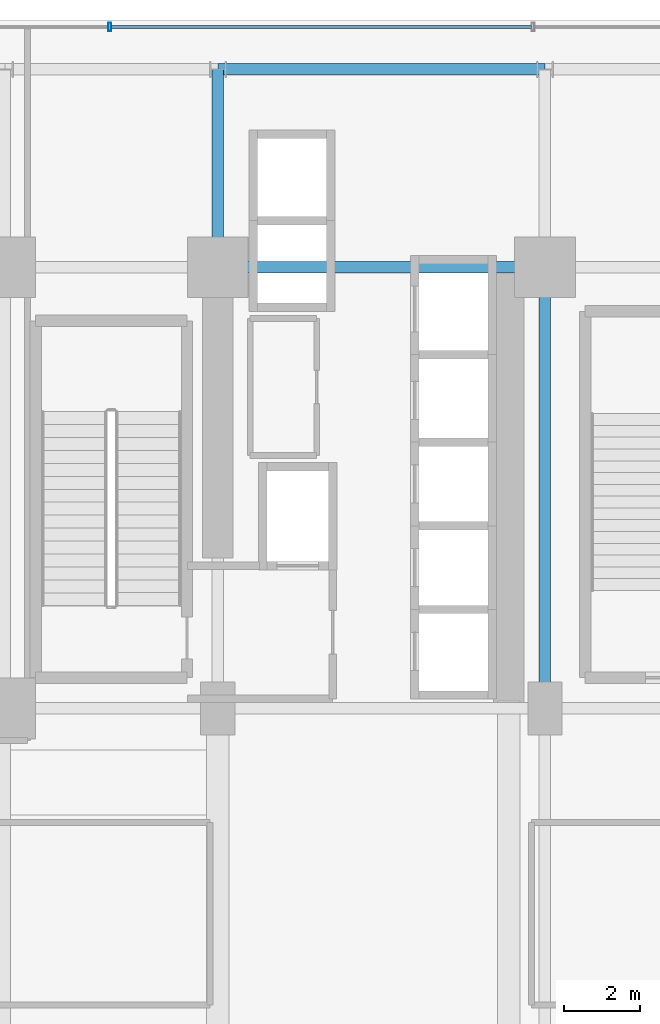
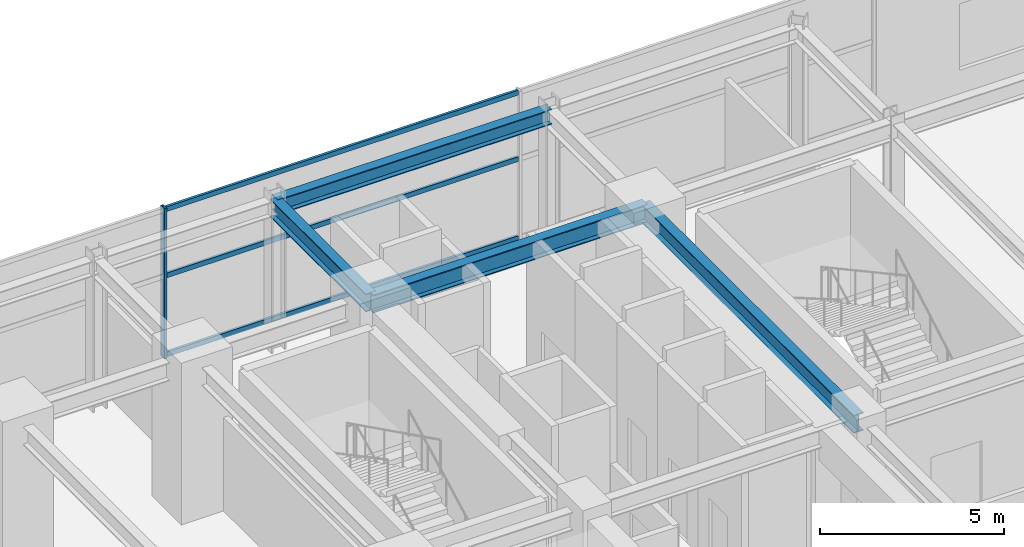
# One storey, part 20 of 35: 4 beams, 4 members, 1 element without a shape of its own.
"""IFC4 building model written with IfcOpenShell, lengths in metres."""

from ifc_helpers import new_model, si_unit, direction, frame, origin, origin_2d, place, context, subcontext, project, spatial, hollow_rectangle, i_section, extrude, source, transform, mapped, material, material_profile, profile_set, type_object, element, aggregate, save


model = new_model("IFC4")

# Units and contexts
model_context = context("Model", 3, precision=1e-05, world=origin(), true_north=direction((0.0, 1.0)))
body_context = subcontext(model_context, "Body", "Model", "MODEL_VIEW")
ifc_project = project(units=[si_unit("LENGTHUNIT", "METRE"), si_unit("AREAUNIT", "SQUARE_METRE"), si_unit("VOLUMEUNIT", "CUBIC_METRE"), si_unit("PLANEANGLEUNIT", "RADIAN"), si_unit("MASSUNIT", "GRAM", prefix="KILO")], contexts=[model_context])

# Site, building, storey
site_placement = place(None, origin())
site = spatial("IfcSite", under=ifc_project, at=site_placement, CompositionType="ELEMENT")
building_placement = place(site_placement, origin())
building = spatial("IfcBuilding", under=site, at=building_placement, Name="Nahalor Promenade Grand Hotel", CompositionType="ELEMENT")
storey_placement = place(building_placement, frame((0.0, 0.0, 21.60009765625)))
storey = spatial("IfcBuildingStorey", under=building, at=storey_placement, Name="L04", CompositionType="ELEMENT", Elevation=21.60009765625)

# Beams
ifc_material_1 = material(Name="Steel S355JR", Category="steel")
ifc_material_profile_1 = material_profile(ifc_material_1, i_section(OverallWidth=0.3, OverallDepth=0.6, WebThickness=0.0155, FlangeThickness=0.03, at=origin_2d()), Name="HEB 600")
ifc_profile_set_1 = profile_set([ifc_material_profile_1], Name="Steel S355JR")
beam_type_1 = type_object("IfcBeamType", Name="Beam-Girder-HEB600", PredefinedType="BEAM", material=ifc_profile_set_1)
shared_shape_1 = source(origin(), body_context, "Body", "SweptSolid", [
    extrude(i_section(OverallWidth=0.3, OverallDepth=0.6, WebThickness=0.0155, FlangeThickness=0.03, at=origin_2d()), origin(), (0.0, 0.0, 1.0), 8.60009765625),
])
beam_1_placement = place(storey_placement, frame((8.39990234375, 17.0, 4.679931640625), z_axis=(1.0, 0.0, 0.0), x_axis=(0.0, 1.0, 0.0)))
element("IfcBeam", 1, at=beam_1_placement, inside=storey, type_object=beam_type_1, Name="BM-L04-GX-3-6", PredefinedType="BEAM", context=body_context, shape_type="MappedRepresentation", body=[
    mapped(shared_shape_1, transform((0.0, 0.0, 0.0), scale=1.0)),
])
shared_shape_2 = source(origin(), body_context, "Body", "SweptSolid", [
    extrude(i_section(OverallWidth=0.3, OverallDepth=0.6, WebThickness=0.0155, FlangeThickness=0.03, at=origin_2d()), origin(), (0.0, 0.0, 1.0), 5.199951171875),
])
beam_2_placement = place(storey_placement, frame((8.39990234375, 17.0, 4.679931640625), z_axis=(0.0, 1.0, 0.0), x_axis=(-1.0, 0.0, 0.0)))
element("IfcBeam", 2, at=beam_2_placement, inside=storey, type_object=beam_type_1, Name="BM-L04-GY-4-4", PredefinedType="BEAM", context=body_context, shape_type="MappedRepresentation", body=[
    mapped(shared_shape_2, transform((0.0, 0.0, 0.0), scale=1.0)),
])
shared_shape_3 = source(origin(), body_context, "Body", "SweptSolid", [
    extrude(i_section(OverallWidth=0.3, OverallDepth=0.6, WebThickness=0.0155, FlangeThickness=0.03, at=origin_2d()), origin(), (0.0, 0.0, 1.0), 11.60009765625),
])
beam_3_placement = place(storey_placement, frame((17.0, 5.39990234375, 4.679931640625), z_axis=(0.0, 1.0, 0.0), x_axis=(-1.0, 0.0, 0.0)))
element("IfcBeam", 3, at=beam_3_placement, inside=storey, type_object=beam_type_1, Name="BM-L04-GY-5-3", PredefinedType="BEAM", context=body_context, shape_type="MappedRepresentation", body=[
    mapped(shared_shape_3, transform((0.0, 0.0, 0.0), scale=1.0)),
])
ifc_material_profile_2 = material_profile(ifc_material_1, i_section(OverallWidth=0.3, OverallDepth=0.5, WebThickness=0.0145, FlangeThickness=0.028, at=origin_2d()), Name="HEB 500")
ifc_profile_set_2 = profile_set([ifc_material_profile_2], Name="Steel S355JR")
beam_type_2 = type_object("IfcBeamType", Name="Beam-Spandrel-HEB500", PredefinedType="SPANDREL", material=ifc_profile_set_2)
shared_shape_4 = source(origin(), body_context, "Body", "SweptSolid", [
    extrude(i_section(OverallWidth=0.3, OverallDepth=0.5, WebThickness=0.0145, FlangeThickness=0.028, at=origin_2d()), origin(), (0.0, 0.0, 1.0), 8.60009765625),
])
beam_4_placement = place(storey_placement, frame((8.39990234375, 22.199951171875, 4.72998046875), z_axis=(1.0, 0.0, 0.0), x_axis=(0.0, 1.0, 0.0)))
element("IfcBeam", 4, at=beam_4_placement, inside=storey, type_object=beam_type_2, Name="BM-L04-SP-N-4", PredefinedType="SPANDREL", context=body_context, shape_type="MappedRepresentation", body=[
    mapped(shared_shape_4, transform((0.0, 0.0, 0.0), scale=1.0)),
])

# Curtain wall, members
ifc_material_2 = material(Name="Anodised Bronze Aluminium EN AW-6063 T6", Category="aluminium")
curtain_wall_type = type_object("IfcCurtainWallType", Name="CW1 Waterfront Podium Bronze Arcade Curtain Wall", PredefinedType="USERDEFINED", material=ifc_material_2)
curtain_wall_placement = place(storey_placement, origin())
curtain_wall = element("IfcCurtainWall", 5, at=curtain_wall_placement, inside=storey, type_object=curtain_wall_type, Name="L04 Curtain Wall CW-L04-N", ObjectType="UNITISED_CURTAIN_WALL", PredefinedType="USERDEFINED")
ifc_material_profile_3 = material_profile(ifc_material_2, hollow_rectangle(XDim=0.08, YDim=0.22, WallThickness=0.005, at=origin_2d()), Name="CWM 80x220x5")
ifc_profile_set_3 = profile_set([ifc_material_profile_3], Name="Anodised Bronze Aluminium EN AW-6063 T6")
member_type_1 = type_object("IfcMemberType", Name="CWM1 Podium Bronze Mullion 80x220", PredefinedType="MULLION", material=ifc_profile_set_3)
shared_shape_5 = source(origin(), body_context, "Body", "SweptSolid", [
    extrude(hollow_rectangle(XDim=0.08, YDim=0.22, WallThickness=0.005, at=origin_2d()), origin(), (0.0, 0.0, 1.0), 4.97998046875),
])
member_1_placement = place(storey_placement, frame((5.56396484375, 23.320068359375, 0.0), z_axis=(0.0, 0.0, 1.0), x_axis=(1.0, 0.0, 0.0)))
member_1 = element("IfcMember", 6, at=member_1_placement, type_object=member_type_1, Name="CW-L04-N Mullion 3", PredefinedType="MULLION", context=body_context, shape_type="MappedRepresentation", body=[
    mapped(shared_shape_5, transform((0.0, 0.0, 0.0), scale=1.0)),
])
ifc_material_profile_4 = material_profile(ifc_material_2, hollow_rectangle(XDim=0.08, YDim=0.16, WallThickness=0.004, at=origin_2d()), Name="CWT 80x160x4")
ifc_profile_set_4 = profile_set([ifc_material_profile_4], Name="Anodised Bronze Aluminium EN AW-6063 T6")
member_type_2 = type_object("IfcMemberType", Name="CWT1 Podium Bronze Transom 80x160", PredefinedType="USERDEFINED", material=ifc_profile_set_4)
shared_shape_6 = source(origin(), body_context, "Body", "SweptSolid", [
    extrude(hollow_rectangle(XDim=0.08, YDim=0.16, WallThickness=0.004, at=origin_2d()), origin(), (0.0, 0.0, 1.0), 11.048095703125),
])
member_2_placement = place(storey_placement, frame((5.60400390625, 23.320068359375, 0.079833984375), z_axis=(1.0, 0.0, 0.0), x_axis=(0.0, 1.0, 0.0)))
member_2 = element("IfcMember", 7, at=member_2_placement, type_object=member_type_2, Name="CW-L04-N Transom 3-0", ObjectType="TRANSOM", PredefinedType="USERDEFINED", context=body_context, shape_type="MappedRepresentation", body=[
    mapped(shared_shape_6, transform((0.0, 0.0, 0.0), scale=1.0)),
])
member_3_placement = place(storey_placement, frame((5.60400390625, 23.320068359375, 2.699951171875), z_axis=(1.0, 0.0, 0.0), x_axis=(0.0, 1.0, 0.0)))
member_3 = element("IfcMember", 8, at=member_3_placement, type_object=member_type_2, Name="CW-L04-N Transom 3-1", ObjectType="TRANSOM", PredefinedType="USERDEFINED", context=body_context, shape_type="MappedRepresentation", body=[
    mapped(shared_shape_6, transform((0.0, 0.0, 0.0), scale=1.0)),
])
member_4_placement = place(storey_placement, frame((5.60400390625, 23.320068359375, 4.89990234375), z_axis=(1.0, 0.0, 0.0), x_axis=(0.0, 1.0, 0.0)))
member_4 = element("IfcMember", 9, at=member_4_placement, type_object=member_type_2, Name="CW-L04-N Transom 3-2", ObjectType="TRANSOM", PredefinedType="USERDEFINED", context=body_context, shape_type="MappedRepresentation", body=[
    mapped(shared_shape_6, transform((0.0, 0.0, 0.0), scale=1.0)),
])
aggregate(curtain_wall, [member_1, member_2, member_3, member_4])

save(model, "model.ifc")
